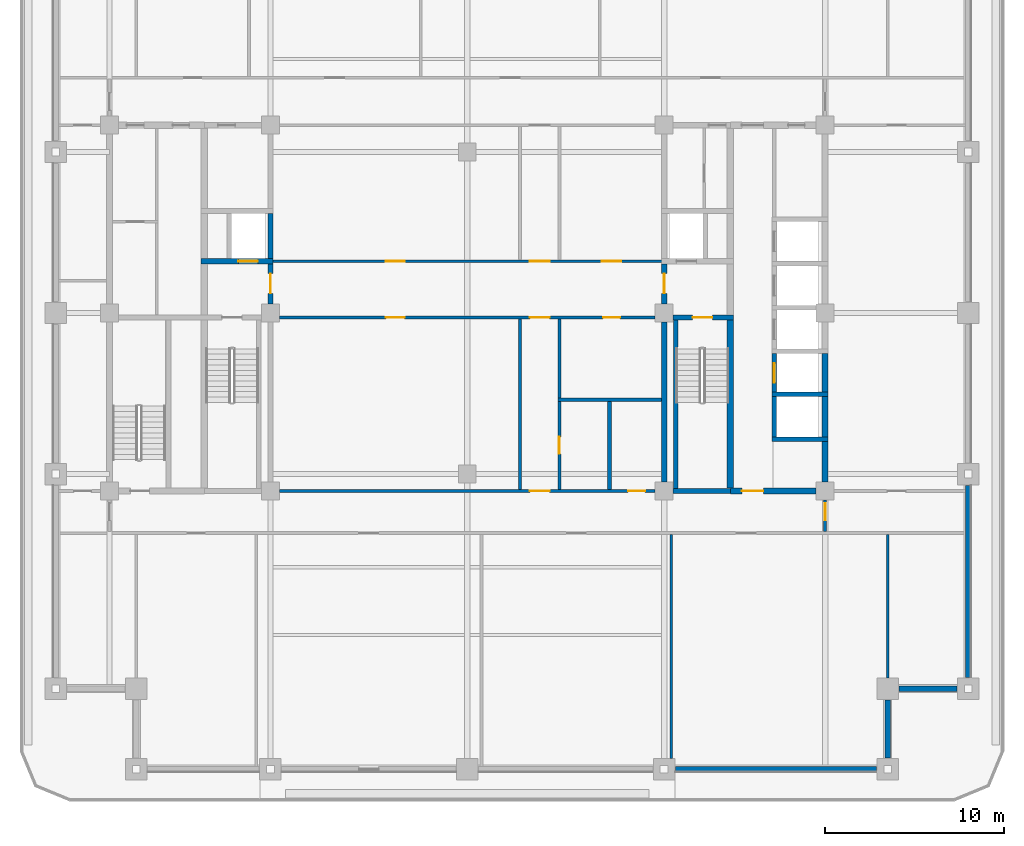
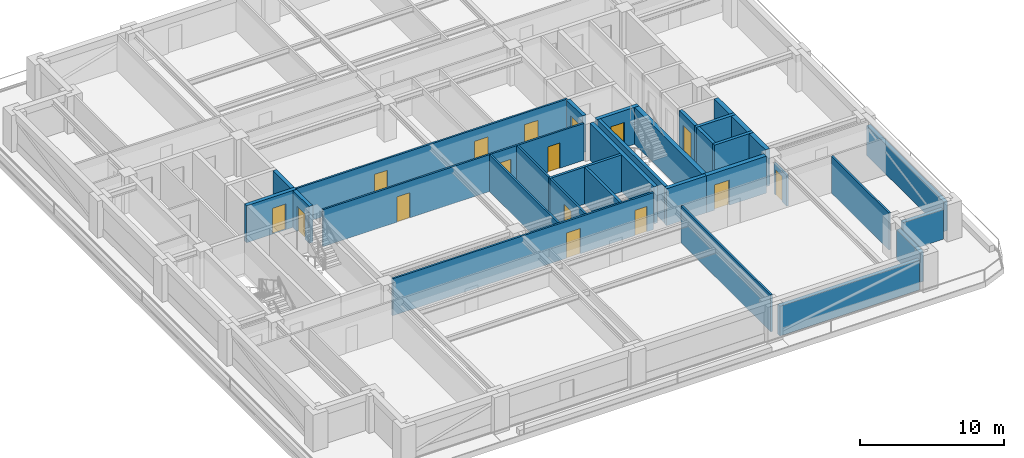
# One storey, part 3 of 13: 32 walls, 16 doors, 16 openings.
"""IFC4 building model written with IfcOpenShell, lengths in metres."""

import ifcopenshell
import ifcopenshell.guid

model = None  # the IFC model being written
_history = None  # IfcOwnerHistory: only IFC2X3 demands one
_inside = {}  # id of a spatial element -> (the spatial element, [elements in it])
_under = {}  # id of a project, library or spatial element -> (it, [spatial elements below it])
_declared = {}  # id of a project -> (the project, [libraries it declares])
_typed = {}  # id of a type object -> (the type object, [elements of that type])
_made_of = {}  # id of a material, layer set ... -> (it, [elements and type objects made of it])


def new_model(schema):
    """Start an empty IFC model of exactly this schema.

    Asked for "IFC4X3", IfcOpenShell would pick the latest addendum, in which some entities
    have other attributes; the version numbers below select the first issue.
    IFC2X3 requires an IfcOwnerHistory on every rooted entity: one is made here for all.
    """
    global model, _history
    if schema == "IFC4X3":
        model = ifcopenshell.file(schema_version=(4, 3, 0, 0))
    else:
        model = ifcopenshell.file(schema=schema)
    _inside.clear()
    _under.clear()
    _declared.clear()
    _typed.clear()
    _made_of.clear()
    _history = None
    if model.schema == "IFC2X3":
        org = make("IfcOrganization", Name="unknown")
        user = make(
            "IfcPersonAndOrganization",
            ThePerson=make("IfcPerson", FamilyName="unknown"),
            TheOrganization=org,
        )
        app = make(
            "IfcApplication",
            ApplicationDeveloper=org,
            Version="unknown",
            ApplicationFullName="unknown",
            ApplicationIdentifier="unknown",
        )
        _history = make(
            "IfcOwnerHistory",
            OwningUser=user,
            OwningApplication=app,
            ChangeAction="ADDED",
            CreationDate=0,
        )
    return model


def make(cls, **values):
    """One entity of the class cls with the attributes given. An attribute that is None is left unset."""
    return model.create_entity(
        cls, **{name: value for name, value in values.items() if value is not None}
    )


def rooted(cls, **values):
    """An entity with a GlobalId (a new one), such as an element, a storey or a relation."""
    return make(cls, GlobalId=ifcopenshell.guid.new(), OwnerHistory=_history, **values)


def si_unit(unit_type, name, prefix=None):
    """IfcSIUnit, for example si_unit("LENGTHUNIT", "METRE", prefix="MILLI")."""
    return make("IfcSIUnit", UnitType=unit_type, Prefix=prefix, Name=name)


def assignment(units):
    """IfcUnitAssignment: the units of a project."""
    return None if units is None else make("IfcUnitAssignment", Units=units)


def point(xyz):
    """IfcCartesianPoint."""
    return None if xyz is None else make("IfcCartesianPoint", Coordinates=xyz)


def direction(xyz):
    """IfcDirection."""
    return None if xyz is None else make("IfcDirection", DirectionRatios=xyz)


def frame(location, z_axis=None, x_axis=None):
    """IfcAxis2Placement3D, a coordinate frame: its origin and axes. An axis left out is left unset."""
    return make(
        "IfcAxis2Placement3D",
        Location=point(location),
        Axis=direction(z_axis),
        RefDirection=direction(x_axis),
    )


def frame_2d(location, x_axis=None):
    """IfcAxis2Placement2D, a coordinate frame in the plane: its origin and x axis."""
    return make(
        "IfcAxis2Placement2D", Location=point(location), RefDirection=direction(x_axis)
    )


def origin():
    """The frame at (0, 0, 0) with its axes left unset."""
    return frame((0.0, 0.0, 0.0))


def place(relative_to, where):
    """IfcLocalPlacement: puts the frame where relative to a parent placement (None: the world)."""
    return make(
        "IfcLocalPlacement", PlacementRelTo=relative_to, RelativePlacement=where
    )


def context(
    kind, dimensions, precision=None, world=None, true_north=None, identifier=None
):
    """IfcGeometricRepresentationContext, for example the 3D "Model" context."""
    return make(
        "IfcGeometricRepresentationContext",
        ContextIdentifier=identifier,
        ContextType=kind,
        CoordinateSpaceDimension=dimensions,
        Precision=precision,
        WorldCoordinateSystem=world,
        TrueNorth=true_north,
    )


def subcontext(parent, identifier, kind, view, scale=None):
    """IfcGeometricRepresentationSubContext, for example "Body" below "Model"."""
    return make(
        "IfcGeometricRepresentationSubContext",
        ContextIdentifier=identifier,
        ContextType=kind,
        ParentContext=parent,
        TargetScale=scale,
        TargetView=view,
    )


def project(units=None, contexts=None):
    """IfcProject with its units and contexts."""
    return rooted(
        "IfcProject",
        Name="project",
        RepresentationContexts=contexts,
        UnitsInContext=assignment(units),
    )


def spatial(cls, under=None, at=None, **own):
    """A site, building, storey or space (cls), placed at a placement, below another one or the project."""
    s = rooted(cls, ObjectPlacement=at, **own)
    if under is not None:
        _under.setdefault(under.id(), (under, []))[1].append(s)
    return s


def profile(cls, at=None, kind="AREA", **sizes):
    """A parametric profile (cls). Its sizes go by their IFC names, for example OverallWidth=200.0."""
    return make(cls, ProfileType=kind, Position=at, **sizes)


def rectangle(**sizes):
    """IfcRectangleProfileDef."""
    return profile("IfcRectangleProfileDef", **sizes)


def extrude(swept, where, along, depth):
    """IfcExtrudedAreaSolid: the profile swept, set in the frame where, extruded along a direction by depth."""
    return make(
        "IfcExtrudedAreaSolid",
        SweptArea=swept,
        Position=where,
        ExtrudedDirection=direction(along),
        Depth=depth,
    )


def shape(context_of_items, identifier, shape_type, items):
    """IfcShapeRepresentation: the items that make up one representation, for example the "Body"."""
    return make(
        "IfcShapeRepresentation",
        ContextOfItems=context_of_items,
        RepresentationIdentifier=identifier,
        RepresentationType=shape_type,
        Items=items,
    )


def material(Name=None, Category=None):
    """IfcMaterial."""
    return make("IfcMaterial", Name=Name, Category=Category)


def layer(
    of_material, thickness, ventilated=None, Name=None, Category=None, Priority=None
):
    """IfcMaterialLayer: one layer of a wall or slab, of a material (None: an air gap)."""
    return make(
        "IfcMaterialLayer",
        Material=of_material,
        LayerThickness=thickness,
        IsVentilated=ventilated,
        Name=Name,
        Category=Category,
        Priority=Priority,
    )


def layer_set(layers, Name=None):
    """IfcMaterialLayerSet."""
    return make("IfcMaterialLayerSet", MaterialLayers=layers, LayerSetName=Name)


def made_of(thing, what):
    """Note that an element or type object is made of a material, layer set ...; save() writes the relation."""
    if what is not None:
        _made_of.setdefault(what.id(), (what, []))[1].append(thing)
    return thing


def type_object(cls, material=None, **own):
    """A type object (cls), such as IfcWallType, which elements share."""
    return made_of(rooted(cls, **own), material)


def element(
    cls,
    number,
    at=None,
    inside=None,
    cuts=None,
    type_object=None,
    material=None,
    context=None,
    identifier="Body",
    shape_type=None,
    held_by="IfcProductDefinitionShape",
    body=None,
    shapes=None,
    **own,
):
    """One element of the class cls, such as IfcWall. Its Tag is "e" and its number.

    at: its placement. inside: the storey or other place that contains it. cuts: it is an
    opening in that element (IfcRelVoidsElement). A single representation is given by context,
    identifier, shape_type and body (its items); several are given by shapes. held_by: the class
    of the entity that holds the representations. save() writes the other relations.
    """
    e = rooted(cls, Tag="e%d" % number, ObjectPlacement=at, **own)
    if body is not None:
        shapes = [shape(context, identifier, shape_type, body)]
    if shapes is not None:
        e.Representation = make(held_by, Representations=shapes)
    if inside is not None:
        _inside.setdefault(inside.id(), (inside, []))[1].append(e)
    if cuts is not None:
        rooted(
            "IfcRelVoidsElement", RelatingBuildingElement=cuts, RelatedOpeningElement=e
        )
    if type_object is not None:
        _typed.setdefault(type_object.id(), (type_object, []))[1].append(e)
    return made_of(e, material)


def fill(opening, filler):
    """IfcRelFillsElement: the door or window that sits in an opening."""
    return rooted(
        "IfcRelFillsElement",
        RelatingOpeningElement=opening,
        RelatedBuildingElement=filler,
    )


def aggregate(whole, parts):
    """IfcRelAggregates: a whole, such as a stair, and the parts it consists of."""
    return rooted("IfcRelAggregates", RelatingObject=whole, RelatedObjects=parts)


def save(model, path):
    """Write the relations noted so far, then the file.

    IfcRelAggregates (storeys below a building ...), IfcRelContainedInSpatialStructure (elements
    in a storey), IfcRelDefinesByType, IfcRelAssociatesMaterial and IfcRelDeclares: one each for
    every whole, place, type object, material and project.
    """
    for whole, parts in _under.values():
        aggregate(whole, parts)
    for where, things in _inside.values():
        rooted(
            "IfcRelContainedInSpatialStructure",
            RelatedElements=things,
            RelatingStructure=where,
        )
    for kind, things in _typed.values():
        rooted("IfcRelDefinesByType", RelatedObjects=things, RelatingType=kind)
    for what, things in _made_of.values():
        rooted("IfcRelAssociatesMaterial", RelatedObjects=things, RelatingMaterial=what)
    for by, libraries in _declared.values():
        rooted("IfcRelDeclares", RelatingContext=by, RelatedDefinitions=libraries)
    model.write(path)


model = new_model("IFC4")

# Units and contexts
model_context = context("Model", 3, precision=1e-05, world=origin(), true_north=direction((0.0, 1.0)))
body_context = subcontext(model_context, "Body", "Model", "MODEL_VIEW")
ifc_project = project(units=[si_unit("LENGTHUNIT", "METRE"), si_unit("AREAUNIT", "SQUARE_METRE"), si_unit("VOLUMEUNIT", "CUBIC_METRE"), si_unit("PLANEANGLEUNIT", "RADIAN"), si_unit("MASSUNIT", "GRAM", prefix="KILO")], contexts=[model_context])

# Site, building, storey
site_placement = place(None, origin())
site = spatial("IfcSite", under=ifc_project, at=site_placement, CompositionType="ELEMENT")
building_placement = place(site_placement, origin())
building = spatial("IfcBuilding", under=site, at=building_placement, Name="Zulmaris Gate Convention Tower", CompositionType="ELEMENT")
storey_placement = place(building_placement, frame((0.0, 0.0, 112.780029296875)))
storey = spatial("IfcBuildingStorey", under=building, at=storey_placement, Name="L28", CompositionType="ELEMENT", Elevation=112.780029296875)

# Walls
ifc_material_1 = material(Name="Concrete C50/60", Category="concrete")
ifc_layer_1 = layer(ifc_material_1, 0.25, Name="Concrete C50/60")
ifc_layer_set_1 = layer_set([ifc_layer_1], Name="Concrete C50/60")
wall_type_1 = type_object("IfcWallType", Name="CORE-250", PredefinedType="SOLIDWALL", material=ifc_layer_set_1)
for number, where, z_axis, x_axis, name in (
    (1, (17.02490234375, -7.050048828125, 0.0), (0.0, 0.0, 1.0), (1.0, 0.0, 0.0), "WL-L28-005"),
    (2, (17.02490234375, -4.550048828125, 0.0), (0.0, 0.0, 1.0), (1.0, 0.0, 0.0), "WL-L28-006"),
):
    element("IfcWall", number, at=place(storey_placement, frame(where, z_axis=z_axis, x_axis=x_axis)), inside=storey, type_object=wall_type_1, Name=name, PredefinedType="SOLIDWALL", context=body_context, shape_type="SweptSolid", body=[
        extrude(rectangle(XDim=3.150146484375, YDim=0.25, at=frame_2d((1.5751953125, 0.0))), origin(), (0.0, 0.0, 1.0), 3.144775390625),
    ])
wall_1_placement = place(storey_placement, frame((11.64990234375, -9.798095703125, 0.0), z_axis=(0.0, 0.0, 1.0), x_axis=(0.0, 1.0, 0.0)))
element("IfcWall", 3, at=wall_1_placement, inside=storey, type_object=wall_type_1, Name="WL-L28-051", PredefinedType="SOLIDWALL", context=body_context, shape_type="SweptSolid", body=[
    extrude(rectangle(XDim=9.39599609375, YDim=0.25, at=frame_2d((4.697998046875, 0.0))), origin(), (0.0, 0.0, 1.0), 3.144775390625),
])
wall_2_placement = place(storey_placement, frame((17.14990234375, -6.923095703125, 0.0), z_axis=(0.0, 0.0, 1.0), x_axis=(0.0, 1.0, 0.0)))
element("IfcWall", 4, at=wall_2_placement, inside=storey, type_object=wall_type_1, Name="WL-L28-057", PredefinedType="SOLIDWALL", context=body_context, shape_type="SweptSolid", body=[
    extrude(rectangle(XDim=2.24609375, YDim=0.25, at=frame_2d((1.123046875, 0.0))), origin(), (0.0, 0.0, 1.0), 3.144775390625),
])

# Wall, opening, door
wall_3_placement = place(storey_placement, frame((17.14990234375, -4.423095703125, 0.0), z_axis=(0.0, 0.0, 1.0), x_axis=(0.0, 1.0, 0.0)))
wall_3 = element("IfcWall", 5, at=wall_3_placement, inside=storey, type_object=wall_type_1, Name="WL-L28-058", PredefinedType="SOLIDWALL", context=body_context, shape_type="SweptSolid", body=[
    extrude(rectangle(XDim=2.14599609375, YDim=0.25, at=frame_2d((1.072998046875, 0.0))), origin(), (0.0, 0.0, 1.0), 3.144775390625),
])
opening_1_placement = place(wall_3_placement, frame((0.52294921875, 0.0, 0.0)))
opening_1 = element("IfcOpeningElement", 6, at=opening_1_placement, cuts=wall_3, Name="Opening D-06", PredefinedType="OPENING", context=body_context, shape_type="SweptSolid", body=[
    extrude(rectangle(XDim=1.10009765625, YDim=2.199951171875, at=frame_2d((0.550048828125, 1.10009765625))), frame((0.0, 0.135009765625, 0.0), z_axis=(0.0, -1.0, 0.0), x_axis=(1.0, 0.0, 0.0)), (0.0, 0.0, 1.0), 0.27001953125),
])
ifc_material_2 = material(Name="Brushed Stainless Steel", Category="steel")
door_type_1 = type_object("IfcDoorType", Name="LD-1100", OperationType="NOTDEFINED", PredefinedType="DOOR", material=ifc_material_2)
door_1_placement = place(opening_1_placement, origin())
door_1 = element("IfcDoor", 7, at=door_1_placement, inside=storey, type_object=door_type_1, Name="L28 Lift Landing Door MP-01 14", OperationType="SLIDING_TO_RIGHT", OverallHeight=2.199951171875, OverallWidth=1.10009765625, PredefinedType="DOOR", context=body_context, shape_type="SweptSolid", body=[
    extrude(rectangle(XDim=1.10009765625, YDim=2.199951171875, at=frame_2d((0.550048828125, 1.10009765625))), frame((0.0, 0.02490234375, 0.0), z_axis=(0.0, -1.0, 0.0), x_axis=(1.0, 0.0, 0.0)), (0.0, 0.0, 1.0), 0.050048828125),
])
fill(opening_1, door_1)

# Wall
ifc_layer_2 = layer(ifc_material_1, 0.300048828125, Name="Concrete C50/60")
ifc_layer_set_2 = layer_set([ifc_layer_2], Name="Concrete C50/60")
wall_type_2 = type_object("IfcWallType", Name="CORE-300", PredefinedType="SHEAR", material=ifc_layer_set_2)
wall_4_placement = place(storey_placement, frame((11.50390625, -9.949951171875, 0.0), z_axis=(0.0, 0.0, 1.0), x_axis=(1.0, 0.0, 0.0)))
element("IfcWall", 8, at=wall_4_placement, inside=storey, type_object=wall_type_2, Name="WL-L28-003", PredefinedType="SHEAR", context=body_context, shape_type="SweptSolid", body=[
    extrude(rectangle(XDim=3.196044921875, YDim=0.300048828125, at=frame_2d((1.59814453125, 0.0))), origin(), (0.0, 0.0, 1.0), 3.144775390625),
])

# Wall, opening, door
wall_5_placement = place(storey_placement, frame((11.50390625, -0.25, 0.0), z_axis=(0.0, 0.0, 1.0), x_axis=(1.0, 0.0, 0.0)))
wall_5 = element("IfcWall", 9, at=wall_5_placement, inside=storey, type_object=wall_type_2, Name="WL-L28-009", PredefinedType="SHEAR", context=body_context, shape_type="SweptSolid", body=[
    extrude(rectangle(XDim=3.37109375, YDim=0.300048828125, at=frame_2d((1.685546875, 0.0))), origin(), (0.0, 0.0, 1.0), 3.144775390625),
])
opening_2_placement = place(wall_5_placement, frame((1.095947265625, 0.0, 0.0)))
opening_2 = element("IfcOpeningElement", 10, at=opening_2_placement, cuts=wall_5, Name="Opening D-08", PredefinedType="OPENING", context=body_context, shape_type="SweptSolid", body=[
    extrude(rectangle(XDim=1.10009765625, YDim=2.14990234375, at=frame_2d((0.550048828125, 1.074951171875))), frame((0.0, 0.16015625, 0.0), z_axis=(0.0, -1.0, 0.0), x_axis=(1.0, 0.0, 0.0)), (0.0, 0.0, 1.0), 0.320068359375),
])
ifc_material_3 = material(Name="Fire-Rated Steel", Category="steel")
door_type_2 = type_object("IfcDoorType", Name="DR-1100-FD", OperationType="NOTDEFINED", PredefinedType="DOOR", material=ifc_material_3)
door_2_placement = place(opening_2_placement, origin())
door_2 = element("IfcDoor", 11, at=door_2_placement, inside=storey, type_object=door_type_2, Name="L28 Exit Stair ST-2 Door 04", OperationType="SINGLE_SWING_RIGHT", OverallHeight=2.14990234375, OverallWidth=1.10009765625, PredefinedType="DOOR", context=body_context, shape_type="SweptSolid", body=[
    extrude(rectangle(XDim=1.10009765625, YDim=2.14990234375, at=frame_2d((0.550048828125, 1.074951171875))), frame((0.0, 0.02490234375, 0.0), z_axis=(0.0, -1.0, 0.0), x_axis=(1.0, 0.0, 0.0)), (0.0, 0.0, 1.0), 0.050048828125),
])
fill(opening_2, door_2)

wall_6_placement = place(storey_placement, frame((-14.875, 2.89990234375, 0.0), z_axis=(0.0, 0.0, 1.0), x_axis=(1.0, 0.0, 0.0)))
wall_6 = element("IfcWall", 12, at=wall_6_placement, inside=storey, type_object=wall_type_2, Name="WL-L28-012", PredefinedType="SHEAR", context=body_context, shape_type="SweptSolid", body=[
    extrude(rectangle(XDim=4.02490234375, YDim=0.300048828125, at=frame_2d((2.012451171875, 0.0))), origin(), (0.0, 0.0, 1.0), 3.144775390625),
])
opening_3_placement = place(wall_6_placement, frame((2.074951171875, 0.0, 0.0)))
opening_3 = element("IfcOpeningElement", 13, at=opening_3_placement, cuts=wall_6, Name="Opening D-06", PredefinedType="OPENING", context=body_context, shape_type="SweptSolid", body=[
    extrude(rectangle(XDim=1.10009765625, YDim=2.199951171875, at=frame_2d((0.550048828125, 1.10009765625))), frame((0.0, 0.16015625, 0.0), z_axis=(0.0, -1.0, 0.0), x_axis=(1.0, 0.0, 0.0)), (0.0, 0.0, 1.0), 0.320068359375),
])
door_3_placement = place(opening_3_placement, origin())
door_3 = element("IfcDoor", 14, at=door_3_placement, inside=storey, type_object=door_type_1, Name="L28 Lift Landing Door LF-01 03", OperationType="SLIDING_TO_LEFT", OverallHeight=2.199951171875, OverallWidth=1.10009765625, PredefinedType="DOOR", context=body_context, shape_type="SweptSolid", body=[
    extrude(rectangle(XDim=1.10009765625, YDim=2.199951171875, at=frame_2d((0.550048828125, 1.10009765625))), frame((0.0, 0.02490234375, 0.0), z_axis=(0.0, -1.0, 0.0), x_axis=(1.0, 0.0, 0.0)), (0.0, 0.0, 1.0), 0.050048828125),
])
fill(opening_3, door_3)

wall_7_placement = place(storey_placement, frame((-11.0, 0.50390625, 0.0), z_axis=(0.0, 0.0, 1.0), x_axis=(0.0, 1.0, 0.0)))
wall_7 = element("IfcWall", 15, at=wall_7_placement, inside=storey, type_object=wall_type_2, Name="WL-L28-044", PredefinedType="SHEAR", context=body_context, shape_type="SweptSolid", body=[
    extrude(rectangle(XDim=2.244140625, YDim=0.300048828125, at=frame_2d((1.1220703125, 0.0))), origin(), (0.0, 0.0, 1.0), 3.144775390625),
])
opening_4_placement = place(wall_7_placement, frame((0.595947265625, 0.0, 0.0)))
opening_4 = element("IfcOpeningElement", 16, at=opening_4_placement, cuts=wall_7, Name="Opening D-08", PredefinedType="OPENING", context=body_context, shape_type="SweptSolid", body=[
    extrude(rectangle(XDim=1.10009765625, YDim=2.14990234375, at=frame_2d((0.550048828125, 1.074951171875))), frame((0.0, 0.16015625, 0.0), z_axis=(0.0, -1.0, 0.0), x_axis=(1.0, 0.0, 0.0)), (0.0, 0.0, 1.0), 0.320068359375),
])
door_4_placement = place(opening_4_placement, origin())
door_4 = element("IfcDoor", 17, at=door_4_placement, inside=storey, type_object=door_type_2, Name="L28 West Firefighting Lobby Door 02", OperationType="SINGLE_SWING_LEFT", OverallHeight=2.14990234375, OverallWidth=1.10009765625, PredefinedType="DOOR", context=body_context, shape_type="SweptSolid", body=[
    extrude(rectangle(XDim=1.10009765625, YDim=2.14990234375, at=frame_2d((0.550048828125, 1.074951171875))), frame((0.0, 0.02490234375, 0.0), z_axis=(0.0, -1.0, 0.0), x_axis=(1.0, 0.0, 0.0)), (0.0, 0.0, 1.0), 0.050048828125),
])
fill(opening_4, door_4)

# Walls
wall_8_placement = place(storey_placement, frame((-11.0, 3.052001953125, 0.0), z_axis=(0.0, 0.0, 1.0), x_axis=(0.0, 1.0, 0.0)))
element("IfcWall", 18, at=wall_8_placement, inside=storey, type_object=wall_type_2, Name="WL-L28-045", PredefinedType="SHEAR", context=body_context, shape_type="SweptSolid", body=[
    extrude(rectangle(XDim=2.49609375, YDim=0.300048828125, at=frame_2d((1.248046875, 0.0))), origin(), (0.0, 0.0, 1.0), 3.144775390625),
])
wall_9_placement = place(storey_placement, frame((11.0, -9.446044921875, 0.0), z_axis=(0.0, 0.0, 1.0), x_axis=(0.0, 1.0, 0.0)))
element("IfcWall", 19, at=wall_9_placement, inside=storey, type_object=wall_type_2, Name="WL-L28-047", PredefinedType="SHEAR", context=body_context, shape_type="SweptSolid", body=[
    extrude(rectangle(XDim=8.942138671875, YDim=0.300048828125, at=frame_2d((4.47119140625, 0.0))), origin(), (0.0, 0.0, 1.0), 3.144775390625),
])

# Wall, opening, door
wall_10_placement = place(storey_placement, frame((11.0, 0.50390625, 0.0), z_axis=(0.0, 0.0, 1.0), x_axis=(0.0, 1.0, 0.0)))
wall_10 = element("IfcWall", 20, at=wall_10_placement, inside=storey, type_object=wall_type_2, Name="WL-L28-048", PredefinedType="SHEAR", context=body_context, shape_type="SweptSolid", body=[
    extrude(rectangle(XDim=2.244140625, YDim=0.300048828125, at=frame_2d((1.1220703125, 0.0))), origin(), (0.0, 0.0, 1.0), 3.144775390625),
])
opening_5_placement = place(wall_10_placement, frame((0.595947265625, 0.0, 0.0)))
opening_5 = element("IfcOpeningElement", 21, at=opening_5_placement, cuts=wall_10, Name="Opening D-08", PredefinedType="OPENING", context=body_context, shape_type="SweptSolid", body=[
    extrude(rectangle(XDim=1.10009765625, YDim=2.14990234375, at=frame_2d((0.550048828125, 1.074951171875))), frame((0.0, 0.16015625, 0.0), z_axis=(0.0, -1.0, 0.0), x_axis=(1.0, 0.0, 0.0)), (0.0, 0.0, 1.0), 0.320068359375),
])
door_5_placement = place(opening_5_placement, origin())
door_5 = element("IfcDoor", 22, at=door_5_placement, inside=storey, type_object=door_type_2, Name="L28 East Firefighting Lobby Door 05", OperationType="SINGLE_SWING_LEFT", OverallHeight=2.14990234375, OverallWidth=1.10009765625, PredefinedType="DOOR", context=body_context, shape_type="SweptSolid", body=[
    extrude(rectangle(XDim=1.10009765625, YDim=2.14990234375, at=frame_2d((0.550048828125, 1.074951171875))), frame((0.0, 0.02490234375, 0.0), z_axis=(0.0, -1.0, 0.0), x_axis=(1.0, 0.0, 0.0)), (0.0, 0.0, 1.0), 0.050048828125),
])
fill(opening_5, door_5)

ifc_material_4 = material(Name="Concrete C55/67", Category="concrete")
ifc_layer_3 = layer(ifc_material_4, 0.35009765625, Name="Concrete C55/67")
ifc_layer_set_3 = layer_set([ifc_layer_3], Name="Concrete C55/67")
wall_type_3 = type_object("IfcWallType", Name="CORE-350", PredefinedType="SHEAR", material=ifc_layer_set_3)
wall_11_placement = place(storey_placement, frame((14.699951171875, -9.949951171875, 0.0), z_axis=(0.0, 0.0, 1.0), x_axis=(1.0, 0.0, 0.0)))
wall_11 = element("IfcWall", 23, at=wall_11_placement, inside=storey, type_object=wall_type_3, Name="WL-L28-004", PredefinedType="SHEAR", context=body_context, shape_type="SweptSolid", body=[
    extrude(rectangle(XDim=4.796142578125, YDim=0.35009765625, at=frame_2d((2.39794921875, 0.0))), origin(), (0.0, 0.0, 1.0), 3.144775390625),
])
opening_6_placement = place(wall_11_placement, frame((0.64990234375, 0.0, 0.0)))
opening_6 = element("IfcOpeningElement", 24, at=opening_6_placement, cuts=wall_11, Name="Opening D-13", PredefinedType="OPENING", context=body_context, shape_type="SweptSolid", body=[
    extrude(rectangle(XDim=1.199951171875, YDim=2.14990234375, at=frame_2d((0.60009765625, 1.074951171875))), frame((0.0, 0.18505859375, 0.0), z_axis=(0.0, -1.0, 0.0), x_axis=(1.0, 0.0, 0.0)), (0.0, 0.0, 1.0), 0.3701171875),
])
door_type_3 = type_object("IfcDoorType", Name="DR-1200-FD", OperationType="NOTDEFINED", PredefinedType="DOOR", material=ifc_material_3)
door_6_placement = place(opening_6_placement, origin())
door_6 = element("IfcDoor", 25, at=door_6_placement, inside=storey, type_object=door_type_3, Name="L28 East Lift Lobby South Door 18", OperationType="SINGLE_SWING_LEFT", OverallHeight=2.14990234375, OverallWidth=1.199951171875, PredefinedType="DOOR", context=body_context, shape_type="SweptSolid", body=[
    extrude(rectangle(XDim=1.199951171875, YDim=2.14990234375, at=frame_2d((0.60009765625, 1.074951171875))), frame((0.0, 0.02490234375, 0.0), z_axis=(0.0, -1.0, 0.0), x_axis=(1.0, 0.0, 0.0)), (0.0, 0.0, 1.0), 0.050048828125),
])
fill(opening_6, door_6)

# Walls
wall_12_placement = place(storey_placement, frame((14.699951171875, -9.77294921875, 0.0), z_axis=(0.0, 0.0, 1.0), x_axis=(0.0, 1.0, 0.0)))
element("IfcWall", 26, at=wall_12_placement, inside=storey, type_object=wall_type_3, Name="WL-L28-053", PredefinedType="SHEAR", context=body_context, shape_type="SweptSolid", body=[
    extrude(rectangle(XDim=9.370849609375, YDim=0.35009765625, at=frame_2d((4.685546875, 0.0))), origin(), (0.0, 0.0, 1.0), 3.144775390625),
])
wall_13_placement = place(storey_placement, frame((20.0, -9.446044921875, 0.0), z_axis=(0.0, 0.0, 1.0), x_axis=(0.0, 1.0, 0.0)))
element("IfcWall", 27, at=wall_13_placement, inside=storey, type_object=wall_type_3, Name="WL-L28-062", PredefinedType="SHEAR", context=body_context, shape_type="SweptSolid", body=[
    extrude(rectangle(XDim=2.26904296875, YDim=0.35009765625, at=frame_2d((1.134521484375, 0.0))), origin(), (0.0, 0.0, 1.0), 3.144775390625),
])
wall_14_placement = place(storey_placement, frame((20.0, -6.923095703125, 0.0), z_axis=(0.0, 0.0, 1.0), x_axis=(0.0, 1.0, 0.0)))
element("IfcWall", 28, at=wall_14_placement, inside=storey, type_object=wall_type_3, Name="WL-L28-063", PredefinedType="SHEAR", context=body_context, shape_type="SweptSolid", body=[
    extrude(rectangle(XDim=2.24609375, YDim=0.35009765625, at=frame_2d((1.123046875, 0.0))), origin(), (0.0, 0.0, 1.0), 3.144775390625),
])
wall_15_placement = place(storey_placement, frame((20.0, -4.423095703125, 0.0), z_axis=(0.0, 0.0, 1.0), x_axis=(0.0, 1.0, 0.0)))
element("IfcWall", 29, at=wall_15_placement, inside=storey, type_object=wall_type_3, Name="WL-L28-064", PredefinedType="SHEAR", context=body_context, shape_type="SweptSolid", body=[
    extrude(rectangle(XDim=2.14599609375, YDim=0.35009765625, at=frame_2d((1.072998046875, 0.0))), origin(), (0.0, 0.0, 1.0), 3.144775390625),
])

# Wall, openings, doors
ifc_material_5 = material(Name="Gypsum Metal Stud Partition")
ifc_layer_4 = layer(ifc_material_5, 0.14990234375, Name="Gypsum Metal Stud Partition")
ifc_layer_set_4 = layer_set([ifc_layer_4], Name="Gypsum Metal Stud Partition")
wall_type_4 = type_object("IfcWallType", Name="PART-150", PredefinedType="PARTITIONING", material=ifc_layer_set_4)
wall_16_placement = place(storey_placement, frame((-10.493896484375, -9.949951171875, 0.0), z_axis=(0.0, 0.0, 1.0), x_axis=(1.0, 0.0, 0.0)))
wall_16 = element("IfcWall", 30, at=wall_16_placement, inside=storey, type_object=wall_type_4, Name="WL-L28-023", PredefinedType="PARTITIONING", context=body_context, shape_type="SweptSolid", body=[
    extrude(rectangle(XDim=20.98779296875, YDim=0.14990234375, at=frame_2d((10.493896484375, 0.0))), origin(), (0.0, 0.0, 1.0), 3.144775390625),
])
opening_7_placement = place(wall_16_placement, frame((13.993896484375, 0.0, 0.0)))
opening_7 = element("IfcOpeningElement", 31, at=opening_7_placement, cuts=wall_16, Name="Opening D-08", PredefinedType="OPENING", context=body_context, shape_type="SweptSolid", body=[
    extrude(rectangle(XDim=1.10009765625, YDim=2.14990234375, at=frame_2d((0.550048828125, 1.074951171875))), frame((0.0, 0.0849609375, 0.0), z_axis=(0.0, -1.0, 0.0), x_axis=(1.0, 0.0, 0.0)), (0.0, 0.0, 1.0), 0.169921875),
])
opening_8_placement = place(wall_16_placement, frame((19.489013671875, 0.0, 0.0)))
opening_8 = element("IfcOpeningElement", 32, at=opening_8_placement, cuts=wall_16, Name="Opening D-11", PredefinedType="OPENING", context=body_context, shape_type="SweptSolid", body=[
    extrude(rectangle(XDim=0.949951171875, YDim=2.14990234375, at=frame_2d((0.47509765625, 1.074951171875))), frame((0.0, 0.0849609375, 0.0), z_axis=(0.0, -1.0, 0.0), x_axis=(1.0, 0.0, 0.0)), (0.0, 0.0, 1.0), 0.169921875),
])
door_7_placement = place(opening_7_placement, origin())
door_7 = element("IfcDoor", 33, at=door_7_placement, inside=storey, type_object=door_type_2, Name="L28 South Gallery Link Door 22", OperationType="SINGLE_SWING_LEFT", OverallHeight=2.14990234375, OverallWidth=1.10009765625, PredefinedType="DOOR", context=body_context, shape_type="SweptSolid", body=[
    extrude(rectangle(XDim=1.10009765625, YDim=2.14990234375, at=frame_2d((0.550048828125, 1.074951171875))), frame((0.0, 0.02490234375, 0.0), z_axis=(0.0, -1.0, 0.0), x_axis=(1.0, 0.0, 0.0)), (0.0, 0.0, 1.0), 0.050048828125),
])
fill(opening_7, door_7)
ifc_material_6 = material(Name="Fire-Rated Timber", Category="wood")
door_type_4 = type_object("IfcDoorType", Name="DR-950-FD", OperationType="NOTDEFINED", PredefinedType="DOOR", material=ifc_material_6)
door_8_placement = place(opening_8_placement, origin())
door_8 = element("IfcDoor", 34, at=door_8_placement, inside=storey, type_object=door_type_4, Name="L28 Vault Store Door 38", OperationType="SINGLE_SWING_LEFT", OverallHeight=2.14990234375, OverallWidth=0.949951171875, PredefinedType="DOOR", context=body_context, shape_type="SweptSolid", body=[
    extrude(rectangle(XDim=0.949951171875, YDim=2.14990234375, at=frame_2d((0.47509765625, 1.074951171875))), frame((0.0, 0.02490234375, 0.0), z_axis=(0.0, -1.0, 0.0), x_axis=(1.0, 0.0, 0.0)), (0.0, 0.0, 1.0), 0.050048828125),
])
fill(opening_8, door_8)

wall_17_placement = place(storey_placement, frame((-10.493896484375, -0.25, 0.0), z_axis=(0.0, 0.0, 1.0), x_axis=(1.0, 0.0, 0.0)))
wall_17 = element("IfcWall", 35, at=wall_17_placement, inside=storey, type_object=wall_type_4, Name="WL-L28-026", PredefinedType="PARTITIONING", context=body_context, shape_type="SweptSolid", body=[
    extrude(rectangle(XDim=20.98779296875, YDim=0.14990234375, at=frame_2d((10.493896484375, 0.0))), origin(), (0.0, 0.0, 1.0), 3.144775390625),
])
opening_9_placement = place(wall_17_placement, frame((13.993896484375, 0.0, 0.0)))
opening_9 = element("IfcOpeningElement", 36, at=opening_9_placement, cuts=wall_17, Name="Opening D-08", PredefinedType="OPENING", context=body_context, shape_type="SweptSolid", body=[
    extrude(rectangle(XDim=1.10009765625, YDim=2.14990234375, at=frame_2d((0.550048828125, 1.074951171875))), frame((0.0, 0.0849609375, 0.0), z_axis=(0.0, -1.0, 0.0), x_axis=(1.0, 0.0, 0.0)), (0.0, 0.0, 1.0), 0.169921875),
])
opening_10_placement = place(wall_17_placement, frame((5.93896484375, 0.0, 0.0)))
opening_10 = element("IfcOpeningElement", 37, at=opening_10_placement, cuts=wall_17, Name="Opening D-09", PredefinedType="OPENING", context=body_context, shape_type="SweptSolid", body=[
    extrude(rectangle(XDim=1.050048828125, YDim=2.14990234375, at=frame_2d((0.52490234375, 1.074951171875))), frame((0.0, 0.0849609375, 0.0), z_axis=(0.0, -1.0, 0.0), x_axis=(1.0, 0.0, 0.0)), (0.0, 0.0, 1.0), 0.169921875),
])
opening_11_placement = place(wall_17_placement, frame((18.089111328125, 0.0, 0.0)))
opening_11 = element("IfcOpeningElement", 38, at=opening_11_placement, cuts=wall_17, Name="Opening D-11", PredefinedType="OPENING", context=body_context, shape_type="SweptSolid", body=[
    extrude(rectangle(XDim=0.949951171875, YDim=2.14990234375, at=frame_2d((0.47509765625, 1.074951171875))), frame((0.0, 0.0849609375, 0.0), z_axis=(0.0, -1.0, 0.0), x_axis=(1.0, 0.0, 0.0)), (0.0, 0.0, 1.0), 0.169921875),
])
door_type_5 = type_object("IfcDoorType", Name="DR-1050-FD", OperationType="NOTDEFINED", PredefinedType="DOOR", material=ifc_material_3)
door_9_placement = place(opening_10_placement, origin())
door_9 = element("IfcDoor", 39, at=door_9_placement, inside=storey, type_object=door_type_5, Name="L28 Sky Library Door 35", OperationType="SINGLE_SWING_RIGHT", OverallHeight=2.14990234375, OverallWidth=1.050048828125, PredefinedType="DOOR", context=body_context, shape_type="SweptSolid", body=[
    extrude(rectangle(XDim=1.050048828125, YDim=2.14990234375, at=frame_2d((0.52490234375, 1.074951171875))), frame((0.0, 0.02490234375, 0.0), z_axis=(0.0, -1.0, 0.0), x_axis=(1.0, 0.0, 0.0)), (0.0, 0.0, 1.0), 0.050048828125),
])
fill(opening_10, door_9)
door_10_placement = place(opening_9_placement, origin())
door_10 = element("IfcDoor", 40, at=door_10_placement, inside=storey, type_object=door_type_2, Name="L28 Cross Spine South Door 24", OperationType="SINGLE_SWING_LEFT", OverallHeight=2.14990234375, OverallWidth=1.10009765625, PredefinedType="DOOR", context=body_context, shape_type="SweptSolid", body=[
    extrude(rectangle(XDim=1.10009765625, YDim=2.14990234375, at=frame_2d((0.550048828125, 1.074951171875))), frame((0.0, 0.02490234375, 0.0), z_axis=(0.0, -1.0, 0.0), x_axis=(1.0, 0.0, 0.0)), (0.0, 0.0, 1.0), 0.050048828125),
])
fill(opening_9, door_10)
door_11_placement = place(opening_11_placement, origin())
door_11 = element("IfcDoor", 41, at=door_11_placement, inside=storey, type_object=door_type_4, Name="L28 Public WC Door 36", OperationType="SINGLE_SWING_LEFT", OverallHeight=2.14990234375, OverallWidth=0.949951171875, PredefinedType="DOOR", context=body_context, shape_type="SweptSolid", body=[
    extrude(rectangle(XDim=0.949951171875, YDim=2.14990234375, at=frame_2d((0.47509765625, 1.074951171875))), frame((0.0, 0.02490234375, 0.0), z_axis=(0.0, -1.0, 0.0), x_axis=(1.0, 0.0, 0.0)), (0.0, 0.0, 1.0), 0.050048828125),
])
fill(opening_11, door_11)

wall_18_placement = place(storey_placement, frame((-11.0, 2.89990234375, 0.0), z_axis=(0.0, 0.0, 1.0), x_axis=(1.0, 0.0, 0.0)))
wall_18 = element("IfcWall", 42, at=wall_18_placement, inside=storey, type_object=wall_type_4, Name="WL-L28-028", PredefinedType="PARTITIONING", context=body_context, shape_type="SweptSolid", body=[
    extrude(rectangle(XDim=22.0, YDim=0.14990234375, at=frame_2d((11.0, 0.0))), origin(), (0.0, 0.0, 1.0), 3.144775390625),
])
opening_12_placement = place(wall_18_placement, frame((14.5, 0.0, 0.0)))
opening_12 = element("IfcOpeningElement", 43, at=opening_12_placement, cuts=wall_18, Name="Opening D-08", PredefinedType="OPENING", context=body_context, shape_type="SweptSolid", body=[
    extrude(rectangle(XDim=1.10009765625, YDim=2.14990234375, at=frame_2d((0.550048828125, 1.074951171875))), frame((0.0, 0.0849609375, 0.0), z_axis=(0.0, -1.0, 0.0), x_axis=(1.0, 0.0, 0.0)), (0.0, 0.0, 1.0), 0.169921875),
])
opening_13_placement = place(wall_18_placement, frame((6.445068359375, 0.0, 0.0)))
opening_13 = element("IfcOpeningElement", 44, at=opening_13_placement, cuts=wall_18, Name="Opening D-09", PredefinedType="OPENING", context=body_context, shape_type="SweptSolid", body=[
    extrude(rectangle(XDim=1.050048828125, YDim=2.14990234375, at=frame_2d((0.52490234375, 1.074951171875))), frame((0.0, 0.0849609375, 0.0), z_axis=(0.0, -1.0, 0.0), x_axis=(1.0, 0.0, 0.0)), (0.0, 0.0, 1.0), 0.169921875),
])
opening_14_placement = place(wall_18_placement, frame((18.52001953125, 0.0, 0.0)))
opening_14 = element("IfcOpeningElement", 45, at=opening_14_placement, cuts=wall_18, Name="Opening D-08", PredefinedType="OPENING", context=body_context, shape_type="SweptSolid", body=[
    extrude(rectangle(XDim=1.10009765625, YDim=2.14990234375, at=frame_2d((0.550048828125, 1.074951171875))), frame((0.0, 0.0849609375, 0.0), z_axis=(0.0, -1.0, 0.0), x_axis=(1.0, 0.0, 0.0)), (0.0, 0.0, 1.0), 0.169921875),
])
door_12_placement = place(opening_13_placement, origin())
door_12 = element("IfcDoor", 46, at=door_12_placement, inside=storey, type_object=door_type_5, Name="L28 Reception Door 33", OperationType="SINGLE_SWING_RIGHT", OverallHeight=2.14990234375, OverallWidth=1.050048828125, PredefinedType="DOOR", context=body_context, shape_type="SweptSolid", body=[
    extrude(rectangle(XDim=1.050048828125, YDim=2.14990234375, at=frame_2d((0.52490234375, 1.074951171875))), frame((0.0, 0.02490234375, 0.0), z_axis=(0.0, -1.0, 0.0), x_axis=(1.0, 0.0, 0.0)), (0.0, 0.0, 1.0), 0.050048828125),
])
fill(opening_13, door_12)
door_13_placement = place(opening_12_placement, origin())
door_13 = element("IfcDoor", 47, at=door_13_placement, inside=storey, type_object=door_type_2, Name="L28 Cross Spine North Door 23", OperationType="SINGLE_SWING_RIGHT", OverallHeight=2.14990234375, OverallWidth=1.10009765625, PredefinedType="DOOR", context=body_context, shape_type="SweptSolid", body=[
    extrude(rectangle(XDim=1.10009765625, YDim=2.14990234375, at=frame_2d((0.550048828125, 1.074951171875))), frame((0.0, 0.02490234375, 0.0), z_axis=(0.0, -1.0, 0.0), x_axis=(1.0, 0.0, 0.0)), (0.0, 0.0, 1.0), 0.050048828125),
])
fill(opening_12, door_13)
door_14_placement = place(opening_14_placement, origin())
door_14 = element("IfcDoor", 48, at=door_14_placement, inside=storey, type_object=door_type_2, Name="L28 Townhall Forum Door 34", OperationType="SINGLE_SWING_LEFT", OverallHeight=2.14990234375, OverallWidth=1.10009765625, PredefinedType="DOOR", context=body_context, shape_type="SweptSolid", body=[
    extrude(rectangle(XDim=1.10009765625, YDim=2.14990234375, at=frame_2d((0.550048828125, 1.074951171875))), frame((0.0, 0.02490234375, 0.0), z_axis=(0.0, -1.0, 0.0), x_axis=(1.0, 0.0, 0.0)), (0.0, 0.0, 1.0), 0.050048828125),
])
fill(opening_14, door_14)

# Wall
wall_19_placement = place(storey_placement, frame((2.949951171875, -9.8720703125, 0.0), z_axis=(0.0, 0.0, 1.0), x_axis=(0.0, 1.0, 0.0)))
element("IfcWall", 49, at=wall_19_placement, inside=storey, type_object=wall_type_4, Name="WL-L28-079", PredefinedType="PARTITIONING", context=body_context, shape_type="SweptSolid", body=[
    extrude(rectangle(XDim=9.544189453125, YDim=0.14990234375, at=frame_2d((4.77197265625, 0.0))), origin(), (0.0, 0.0, 1.0), 3.144775390625),
])

# Wall, opening, door
wall_20_placement = place(storey_placement, frame((5.14990234375, -9.8720703125, 0.0), z_axis=(0.0, 0.0, 1.0), x_axis=(0.0, 1.0, 0.0)))
wall_20 = element("IfcWall", 50, at=wall_20_placement, inside=storey, type_object=wall_type_4, Name="WL-L28-081", PredefinedType="PARTITIONING", context=body_context, shape_type="SweptSolid", body=[
    extrude(rectangle(XDim=4.919189453125, YDim=0.14990234375, at=frame_2d((2.45947265625, 0.0))), origin(), (0.0, 0.0, 1.0), 3.144775390625),
])
opening_15_placement = place(wall_20_placement, frame((1.9970703125, 0.0, 0.0)))
opening_15 = element("IfcOpeningElement", 51, at=opening_15_placement, cuts=wall_20, Name="Opening D-11", PredefinedType="OPENING", context=body_context, shape_type="SweptSolid", body=[
    extrude(rectangle(XDim=0.949951171875, YDim=2.14990234375, at=frame_2d((0.47509765625, 1.074951171875))), frame((0.0, 0.0849609375, 0.0), z_axis=(0.0, -1.0, 0.0), x_axis=(1.0, 0.0, 0.0)), (0.0, 0.0, 1.0), 0.169921875),
])
door_15_placement = place(opening_15_placement, origin())
door_15 = element("IfcDoor", 52, at=door_15_placement, inside=storey, type_object=door_type_4, Name="L28 Accessible WC Door 37", OperationType="SINGLE_SWING_RIGHT", OverallHeight=2.14990234375, OverallWidth=0.949951171875, PredefinedType="DOOR", context=body_context, shape_type="SweptSolid", body=[
    extrude(rectangle(XDim=0.949951171875, YDim=2.14990234375, at=frame_2d((0.47509765625, 1.074951171875))), frame((0.0, 0.02490234375, 0.0), z_axis=(0.0, -1.0, 0.0), x_axis=(1.0, 0.0, 0.0)), (0.0, 0.0, 1.0), 0.050048828125),
])
fill(opening_15, door_15)

# Walls
wall_21_placement = place(storey_placement, frame((5.14990234375, -4.7470703125, 0.0), z_axis=(0.0, 0.0, 1.0), x_axis=(0.0, 1.0, 0.0)))
element("IfcWall", 53, at=wall_21_placement, inside=storey, type_object=wall_type_4, Name="WL-L28-082", PredefinedType="PARTITIONING", context=body_context, shape_type="SweptSolid", body=[
    extrude(rectangle(XDim=4.419189453125, YDim=0.14990234375, at=frame_2d((2.20947265625, 0.0))), origin(), (0.0, 0.0, 1.0), 3.144775390625),
])
wall_22_placement = place(storey_placement, frame((11.39990234375, -24.89404296875, 0.0), z_axis=(0.0, 0.0, 1.0), x_axis=(0.0, 1.0, 0.0)))
element("IfcWall", 54, at=wall_22_placement, inside=storey, type_object=wall_type_4, Name="WL-L28-086", PredefinedType="PARTITIONING", context=body_context, shape_type="SweptSolid", body=[
    extrude(rectangle(XDim=12.51611328125, YDim=0.14990234375, at=frame_2d((6.258056640625, 0.0))), origin(), (0.0, 0.0, 1.0), 3.144775390625),
])

# Wall, opening, door
wall_23_placement = place(storey_placement, frame((20.0, -12.221923828125, 0.0), z_axis=(0.0, 0.0, 1.0), x_axis=(0.0, 1.0, 0.0)))
wall_23 = element("IfcWall", 55, at=wall_23_placement, inside=storey, type_object=wall_type_4, Name="WL-L28-089", PredefinedType="PARTITIONING", context=body_context, shape_type="SweptSolid", body=[
    extrude(rectangle(XDim=1.765869140625, YDim=0.14990234375, at=frame_2d((0.8828125, 0.0))), origin(), (0.0, 0.0, 1.0), 2.634765625),
])
opening_16_placement = place(wall_23_placement, frame((0.626953125, 0.0, 0.0)))
opening_16 = element("IfcOpeningElement", 56, at=opening_16_placement, cuts=wall_23, Name="Opening D-11", PredefinedType="OPENING", context=body_context, shape_type="SweptSolid", body=[
    extrude(rectangle(XDim=0.949951171875, YDim=2.14990234375, at=frame_2d((0.47509765625, 1.074951171875))), frame((0.0, 0.0849609375, 0.0), z_axis=(0.0, -1.0, 0.0), x_axis=(1.0, 0.0, 0.0)), (0.0, 0.0, 1.0), 0.169921875),
])
door_16_placement = place(opening_16_placement, origin())
door_16 = element("IfcDoor", 57, at=door_16_placement, inside=storey, type_object=door_type_4, Name="L28 SE Spur Door 44", OperationType="SINGLE_SWING_LEFT", OverallHeight=2.14990234375, OverallWidth=0.949951171875, PredefinedType="DOOR", context=body_context, shape_type="SweptSolid", body=[
    extrude(rectangle(XDim=0.949951171875, YDim=2.14990234375, at=frame_2d((0.47509765625, 1.074951171875))), frame((0.0, 0.02490234375, 0.0), z_axis=(0.0, -1.0, 0.0), x_axis=(1.0, 0.0, 0.0)), (0.0, 0.0, 1.0), 0.050048828125),
])
fill(opening_16, door_16)

# Walls
wall_24_placement = place(storey_placement, frame((23.5, -20.39404296875, 0.0), z_axis=(0.0, 0.0, 1.0), x_axis=(0.0, 1.0, 0.0)))
element("IfcWall", 58, at=wall_24_placement, inside=storey, type_object=wall_type_4, Name="WL-L28-091", PredefinedType="PARTITIONING", context=body_context, shape_type="SweptSolid", body=[
    extrude(rectangle(XDim=8.01611328125, YDim=0.14990234375, at=frame_2d((4.008056640625, 0.0))), origin(), (0.0, 0.0, 1.0), 3.144775390625),
])
ifc_material_7 = material(Name="Autoclaved Aerated Concrete Block and Plasterboard", Category="concrete")
ifc_layer_5 = layer(ifc_material_7, 0.199951171875, Name="Autoclaved Aerated Concrete Block and Plasterboard")
ifc_layer_set_5 = layer_set([ifc_layer_5], Name="Autoclaved Aerated Concrete Block and Plasterboard")
wall_type_5 = type_object("IfcWallType", Name="PART-200", PredefinedType="PARTITIONING", material=ifc_layer_set_5)
wall_25_placement = place(storey_placement, frame((5.074951171875, -4.85009765625, 0.0), z_axis=(0.0, 0.0, 1.0), x_axis=(1.0, 0.0, 0.0)))
element("IfcWall", 59, at=wall_25_placement, inside=storey, type_object=wall_type_5, Name="WL-L28-025", PredefinedType="PARTITIONING", context=body_context, shape_type="SweptSolid", body=[
    extrude(rectangle(XDim=5.77197265625, YDim=0.199951171875, at=frame_2d((2.885986328125, 0.0))), origin(), (0.0, 0.0, 1.0), 3.144775390625),
])
wall_26_placement = place(storey_placement, frame((7.949951171875, -9.8720703125, 0.0), z_axis=(0.0, 0.0, 1.0), x_axis=(0.0, 1.0, 0.0)))
element("IfcWall", 60, at=wall_26_placement, inside=storey, type_object=wall_type_5, Name="WL-L28-085", PredefinedType="PARTITIONING", context=body_context, shape_type="SweptSolid", body=[
    extrude(rectangle(XDim=4.919189453125, YDim=0.199951171875, at=frame_2d((2.45947265625, 0.0))), origin(), (0.0, 0.0, 1.0), 3.144775390625),
])
ifc_material_8 = material(Name="Precast concrete C40/50", Category="concrete")
ifc_layer_6 = layer(ifc_material_8, 0.300048828125, Name="Precast concrete C40/50")
ifc_layer_set_6 = layer_set([ifc_layer_6], Name="Precast concrete C40/50")
wall_type_6 = type_object("IfcWallType", Name="PRECAST-PIER-300", PredefinedType="STANDARD", material=ifc_layer_set_6)
for number, where, z_axis, x_axis, name in (
    (61, (23.5, -24.8701171875, 0.0), (0.0, 0.0, 1.0), (0.0, 1.0, 0.0), "EW-L28-NOTCH-SE1_0"),
    (62, (24.1298828125, -21.0, 0.0), (0.0, 0.0, 1.0), (1.0, 0.0, 0.0), "EW-L28-NOTCH-SE2_0"),
):
    element("IfcWall", number, at=place(storey_placement, frame(where, z_axis=z_axis, x_axis=x_axis)), inside=storey, type_object=wall_type_6, Name=name, PredefinedType="STANDARD", context=body_context, shape_type="SweptSolid", body=[
        extrude(rectangle(XDim=3.240234375, YDim=0.300048828125, at=frame_2d((1.6201171875, 0.0))), origin(), (0.0, 0.0, 1.0), 2.536865234375),
    ])
wall_27_placement = place(storey_placement, frame((11.6298828125, -25.5, 0.0), z_axis=(0.0, 0.0, 1.0), x_axis=(1.0, 0.0, 0.0)))
element("IfcWall", 63, at=wall_27_placement, inside=storey, type_object=wall_type_6, Name="EW-L28-S-3_0", PredefinedType="STANDARD", context=body_context, shape_type="SweptSolid", body=[
    extrude(rectangle(XDim=11.240234375, YDim=0.300048828125, at=frame_2d((5.6201171875, 0.0))), origin(), (0.0, 0.0, 1.0), 2.536865234375),
])
wall_28_placement = place(storey_placement, frame((28.0, -20.3701171875, 0.0), z_axis=(0.0, 0.0, 1.0), x_axis=(0.0, 1.0, 0.0)))
element("IfcWall", 64, at=wall_28_placement, inside=storey, type_object=wall_type_6, Name="EW-L28-E-0_0", PredefinedType="STANDARD", context=body_context, shape_type="SweptSolid", body=[
    extrude(rectangle(XDim=10.740234375, YDim=0.300048828125, at=frame_2d((5.3701171875, 0.0))), origin(), (0.0, 0.0, 1.0), 2.536865234375),
])

save(model, "model.ifc")
